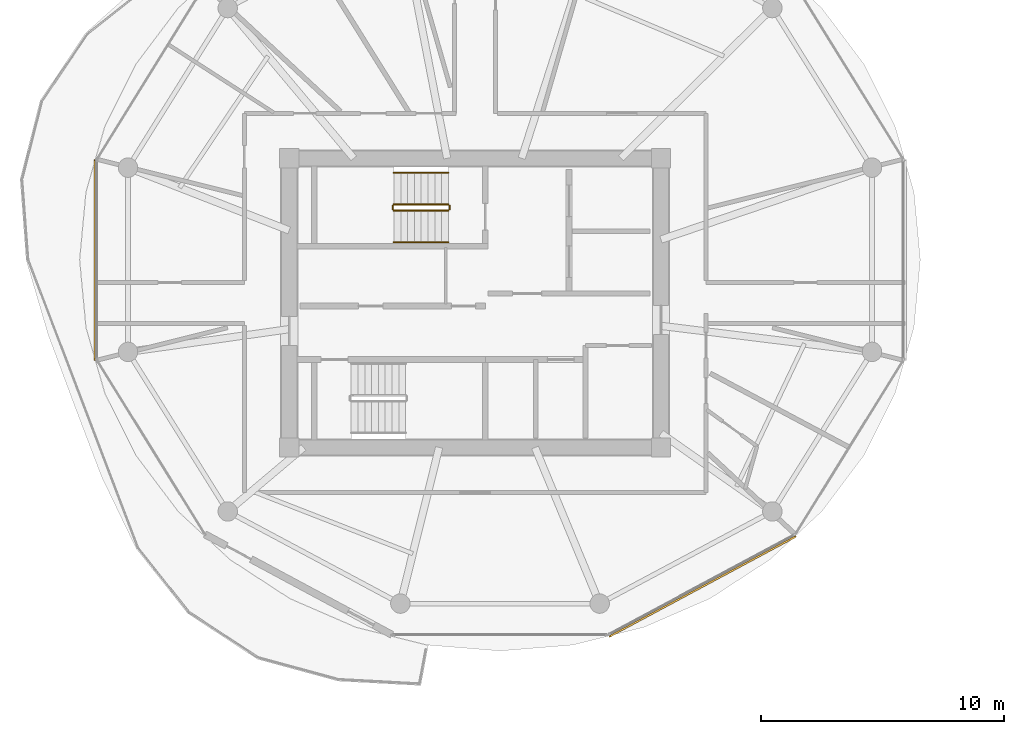
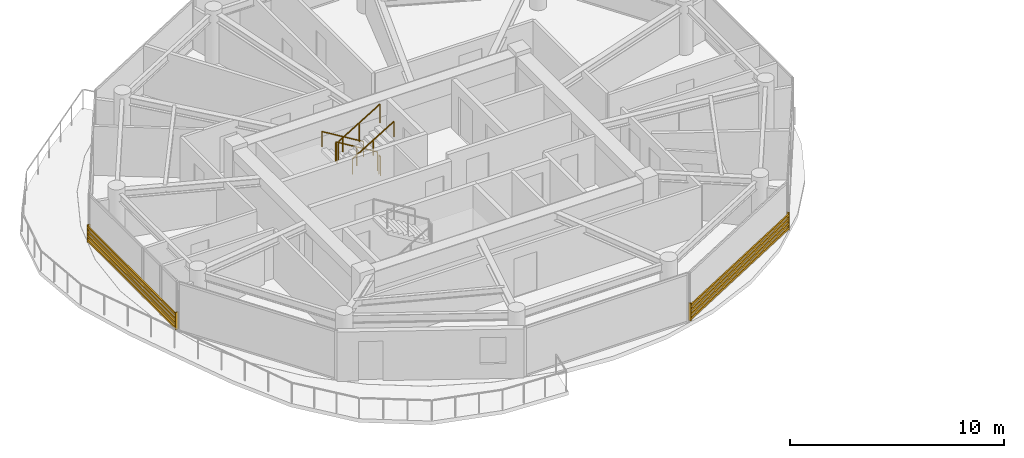
# One storey, part 20 of 23: 6 railings, 2 shading devices.
"""IFC4 building model written with IfcOpenShell, lengths in metres."""

from ifc_helpers import new_model, si_unit, direction, frame, origin, origin_2d, place, context, subcontext, project, spatial, rectangle, extrude, source, transform, mapped, material, type_object, type_shapes, element, save


model = new_model("IFC4")

# Units and contexts
model_context = context("Model", 3, precision=1e-05, world=origin(), true_north=direction((0.0, 1.0)))
body_context = subcontext(model_context, "Body", "Model", "MODEL_VIEW")
ifc_project = project(units=[si_unit("LENGTHUNIT", "METRE"), si_unit("AREAUNIT", "SQUARE_METRE"), si_unit("VOLUMEUNIT", "CUBIC_METRE"), si_unit("PLANEANGLEUNIT", "RADIAN"), si_unit("MASSUNIT", "GRAM", prefix="KILO")], contexts=[model_context])

# Site, building, storey
site_placement = place(None, origin())
site = spatial("IfcSite", under=ifc_project, at=site_placement, CompositionType="ELEMENT")
building_placement = place(site_placement, origin())
building = spatial("IfcBuilding", under=site, at=building_placement, Name="Norrkilde Senior Care Towers", CompositionType="ELEMENT")
storey_placement = place(building_placement, frame((0.0, 0.0, 158.699951171875)))
storey = spatial("IfcBuildingStorey", under=building, at=storey_placement, Name="L49", CompositionType="ELEMENT", Elevation=158.699951171875)

# Railings
ifc_material_1 = material(Name="Stainless Steel", Category="steel")
railing_type_1 = type_object("IfcRailingType", Name="Stair and Terrace Guardrail 1100", PredefinedType="GUARDRAIL", material=ifc_material_1)
railing_1_placement = place(storey_placement, frame((-29.10009765625, 4.050048828125, 0.16943359375)))
element("IfcRailing", 1, at=railing_1_placement, inside=storey, type_object=railing_type_1, Name="L49 ST-W1 stair guard 1", PredefinedType="GUARDRAIL", context=body_context, shape_type="SweptSolid", body=[
    extrude(rectangle(XDim=0.048095703125, YDim=0.048095703125, at=origin_2d()), frame((0.0, 0.0, 1.076171875), z_axis=(-0.855512035549, 0.0, 0.517782924622), x_axis=(0.0, -1.0, 0.0)), (0.0, 0.0, 1.0), 2.618408203125),
    extrude(rectangle(XDim=0.0419921875, YDim=0.0419921875, at=origin_2d()), origin(), (0.0, 0.0, 1.0), 1.050048828125),
    extrude(rectangle(XDim=0.0419921875, YDim=0.0419921875, at=origin_2d()), frame((-1.1201171875, 0.0, 0.677734375)), (0.0, 0.0, 1.0), 1.050048828125),
    extrude(rectangle(XDim=0.0419921875, YDim=0.0419921875, at=origin_2d()), frame((-2.239990234375, 0.0, 1.355712890625)), (0.0, 0.0, 1.0), 1.050048828125),
])
railing_2_placement = place(storey_placement, frame((-31.389892578125, 4.0, 1.525146484375)))
element("IfcRailing", 2, at=railing_2_placement, inside=storey, type_object=railing_type_1, Name="L49 ST-W1 stair guard 2", PredefinedType="GUARDRAIL", context=body_context, shape_type="SweptSolid", body=[
    extrude(rectangle(XDim=0.048095703125, YDim=0.048095703125, at=origin_2d()), frame((0.0, 0.0, 1.076171875), z_axis=(0.0, -1.0, 0.0), x_axis=(1.0, 0.0, 0.0)), (0.0, 0.0, 1.0), 0.14990234375),
    extrude(rectangle(XDim=0.0419921875, YDim=0.0419921875, at=origin_2d()), origin(), (0.0, 0.0, 1.0), 1.050048828125),
    extrude(rectangle(XDim=0.0419921875, YDim=0.0419921875, at=origin_2d()), frame((0.0, -0.14990234375, 0.0)), (0.0, 0.0, 1.0), 1.050048828125),
])
railing_3_placement = place(storey_placement, frame((-31.340087890625, 3.800048828125, 1.694580078125)))
element("IfcRailing", 3, at=railing_3_placement, inside=storey, type_object=railing_type_1, Name="L49 ST-W1 stair guard 3", PredefinedType="GUARDRAIL", context=body_context, shape_type="SweptSolid", body=[
    extrude(rectangle(XDim=0.048095703125, YDim=0.048095703125, at=origin_2d()), frame((0.0, 0.0, 1.076171875), z_axis=(0.855553338991, 0.0, 0.51771467445), x_axis=(0.0, 1.0, 0.0)), (0.0, 0.0, 1.0), 2.6181640625),
    extrude(rectangle(XDim=0.0419921875, YDim=0.0419921875, at=origin_2d()), origin(), (0.0, 0.0, 1.0), 1.050048828125),
    extrude(rectangle(XDim=0.0419921875, YDim=0.0419921875, at=origin_2d()), frame((1.1201171875, 0.0, 0.677734375)), (0.0, 0.0, 1.0), 1.050048828125),
    extrude(rectangle(XDim=0.0419921875, YDim=0.0419921875, at=origin_2d()), frame((2.239990234375, 0.0, 1.35546875)), (0.0, 0.0, 1.0), 1.050048828125),
])
railing_4_placement = place(storey_placement, frame((-29.050048828125, 4.0, 0.0)))
element("IfcRailing", 4, at=railing_4_placement, inside=storey, type_object=railing_type_1, Name="L49 ST-W1 stair guard 4", PredefinedType="GUARDRAIL", context=body_context, shape_type="SweptSolid", body=[
    extrude(rectangle(XDim=0.048095703125, YDim=0.048095703125, at=origin_2d()), frame((0.0, 0.0, 1.076171875), z_axis=(0.0, -1.0, 0.0), x_axis=(1.0, 0.0, 0.0)), (0.0, 0.0, 1.0), 0.14990234375),
    extrude(rectangle(XDim=0.0419921875, YDim=0.0419921875, at=origin_2d()), origin(), (0.0, 0.0, 1.0), 1.050048828125),
    extrude(rectangle(XDim=0.0419921875, YDim=0.0419921875, at=origin_2d()), frame((0.0, -0.14990234375, 0.0)), (0.0, 0.0, 1.0), 1.050048828125),
])
ifc_material_2 = material(Name="Nordic Ash Timber", Category="wood")
railing_type_2 = type_object("IfcRailingType", Name="Wall and Stair Handrail 900", PredefinedType="HANDRAIL", material=ifc_material_2)
railing_5_placement = place(storey_placement, frame((-29.10009765625, 5.35009765625, 0.16943359375)))
element("IfcRailing", 5, at=railing_5_placement, inside=storey, type_object=railing_type_2, Name="L49 ST-W1 stair handrail 1", PredefinedType="HANDRAIL", context=body_context, shape_type="SweptSolid", body=[
    extrude(rectangle(XDim=0.048095703125, YDim=0.048095703125, at=origin_2d()), frame((0.0, 0.0, 0.8759765625), z_axis=(-0.855512035549, 0.0, 0.517782924622), x_axis=(0.0, -1.0, 0.0)), (0.0, 0.0, 1.0), 2.618408203125),
    extrude(rectangle(XDim=0.0419921875, YDim=0.0419921875, at=origin_2d()), origin(), (0.0, 0.0, 1.0), 0.849853515625),
    extrude(rectangle(XDim=0.0419921875, YDim=0.0419921875, at=origin_2d()), frame((-1.1201171875, 0.0, 0.677734375)), (0.0, 0.0, 1.0), 0.849853515625),
    extrude(rectangle(XDim=0.0419921875, YDim=0.0419921875, at=origin_2d()), frame((-2.239990234375, 0.0, 1.355712890625)), (0.0, 0.0, 1.0), 0.849853515625),
])
railing_6_placement = place(storey_placement, frame((-31.340087890625, 2.5, 1.694580078125)))
element("IfcRailing", 6, at=railing_6_placement, inside=storey, type_object=railing_type_2, Name="L49 ST-W1 stair handrail 2", PredefinedType="HANDRAIL", context=body_context, shape_type="SweptSolid", body=[
    extrude(rectangle(XDim=0.048095703125, YDim=0.048095703125, at=origin_2d()), frame((0.0, 0.0, 0.8759765625), z_axis=(0.855553338991, 0.0, 0.51771467445), x_axis=(0.0, 1.0, 0.0)), (0.0, 0.0, 1.0), 2.6181640625),
    extrude(rectangle(XDim=0.0419921875, YDim=0.0419921875, at=origin_2d()), origin(), (0.0, 0.0, 1.0), 0.849853515625),
    extrude(rectangle(XDim=0.0419921875, YDim=0.0419921875, at=origin_2d()), frame((1.1201171875, 0.0, 0.677734375)), (0.0, 0.0, 1.0), 0.849853515625),
    extrude(rectangle(XDim=0.0419921875, YDim=0.0419921875, at=origin_2d()), frame((2.239990234375, 0.0, 1.35546875)), (0.0, 0.0, 1.0), 0.849853515625),
])

# Shading devices
ifc_material_3 = material(Name="Architectural Terracotta", Category="masonry")
shading_device_type = type_object("IfcShadingDeviceType", Name="Horizontal Terracotta Baguette Rack", PredefinedType="USERDEFINED", material=ifc_material_3)
shared_shape_1 = source(origin(), body_context, "Body", "SweptSolid", [
    extrude(rectangle(XDim=0.070068359375, YDim=0.110107421875, at=origin_2d()), frame((0.0, 0.090087890625, 0.125), z_axis=(1.0, 0.0, 0.0), x_axis=(0.0, 1.0, 0.0)), (0.0, 0.0, 1.0), 8.741943359375),
    extrude(rectangle(XDim=0.070068359375, YDim=0.110107421875, at=origin_2d()), frame((0.0, 0.090087890625, 0.375), z_axis=(1.0, 0.0, 0.0), x_axis=(0.0, 1.0, 0.0)), (0.0, 0.0, 1.0), 8.741943359375),
    extrude(rectangle(XDim=0.070068359375, YDim=0.110107421875, at=origin_2d()), frame((0.0, 0.090087890625, 0.625), z_axis=(1.0, 0.0, 0.0), x_axis=(0.0, 1.0, 0.0)), (0.0, 0.0, 1.0), 8.741943359375),
    extrude(rectangle(XDim=0.070068359375, YDim=0.110107421875, at=origin_2d()), frame((0.0, 0.090087890625, 0.875), z_axis=(1.0, 0.0, 0.0), x_axis=(0.0, 1.0, 0.0)), (0.0, 0.0, 1.0), 8.741943359375),
    extrude(rectangle(XDim=0.050048828125, YDim=0.1552734375, at=origin_2d()), frame((0.02490234375, 0.047607421875, 0.0)), (0.0, 0.0, 1.0), 1.0),
    extrude(rectangle(XDim=0.050048828125, YDim=0.1552734375, at=origin_2d()), frame((8.716796875, 0.047607421875, 0.0)), (0.0, 0.0, 1.0), 1.0),
])
shading_device_1_placement = place(storey_placement, frame((-14.826904296875, -9.524169921875, 0.080078125), z_axis=(0.0, 0.0, 1.0), x_axis=(-0.881000921608, -0.473119781048, 0.0)))
element("IfcShadingDevice", 7, at=shading_device_1_placement, inside=storey, type_object=shading_device_type, Name="L49 Drum W Terracotta Baguette Screen 09", ObjectType="BAGUETTE", PredefinedType="USERDEFINED", context=body_context, shape_type="MappedRepresentation", body=[
    mapped(shared_shape_1, transform((0.0, 0.0, 0.0), x_axis=(1.0, 0.0, 0.0), y_axis=(0.0, 1.0, 0.0), z_axis=(0.0, 0.0, 1.0), scale=1.0)),
])
shared_shape_2 = source(origin(), body_context, "Body", "SweptSolid", [
    extrude(rectangle(XDim=0.070068359375, YDim=0.110107421875, at=origin_2d()), frame((0.0, 0.090087890625, 0.125), z_axis=(1.0, 0.0, 0.0), x_axis=(0.0, 1.0, 0.0)), (0.0, 0.0, 1.0), 8.27197265625),
    extrude(rectangle(XDim=0.070068359375, YDim=0.110107421875, at=origin_2d()), frame((0.0, 0.090087890625, 0.375), z_axis=(1.0, 0.0, 0.0), x_axis=(0.0, 1.0, 0.0)), (0.0, 0.0, 1.0), 8.27197265625),
    extrude(rectangle(XDim=0.070068359375, YDim=0.110107421875, at=origin_2d()), frame((0.0, 0.090087890625, 0.625), z_axis=(1.0, 0.0, 0.0), x_axis=(0.0, 1.0, 0.0)), (0.0, 0.0, 1.0), 8.27197265625),
    extrude(rectangle(XDim=0.070068359375, YDim=0.110107421875, at=origin_2d()), frame((0.0, 0.090087890625, 0.875), z_axis=(1.0, 0.0, 0.0), x_axis=(0.0, 1.0, 0.0)), (0.0, 0.0, 1.0), 8.27197265625),
    extrude(rectangle(XDim=0.050048828125, YDim=0.1552734375, at=origin_2d()), frame((0.02490234375, 0.047607421875, 0.0)), (0.0, 0.0, 1.0), 1.0),
    extrude(rectangle(XDim=0.050048828125, YDim=0.1552734375, at=origin_2d()), frame((8.2470703125, 0.047607421875, 0.0)), (0.0, 0.0, 1.0), 1.0),
])
type_shapes(shading_device_type, [shared_shape_1, shared_shape_2])
shading_device_2_placement = place(storey_placement, frame((-43.569580078125, -2.360595703125, 0.080078125), z_axis=(0.0, 0.0, 1.0), x_axis=(0.0, 1.0, 0.0)))
element("IfcShadingDevice", 8, at=shading_device_2_placement, inside=storey, type_object=shading_device_type, Name="L49 Drum W Terracotta Baguette Screen 05", ObjectType="BAGUETTE", PredefinedType="USERDEFINED", context=body_context, shape_type="MappedRepresentation", body=[
    mapped(shared_shape_2, transform((0.0, 0.0, 0.0), x_axis=(1.0, 0.0, 0.0), y_axis=(0.0, 1.0, 0.0), z_axis=(0.0, 0.0, 1.0), scale=1.0)),
])

save(model, "model.ifc")
